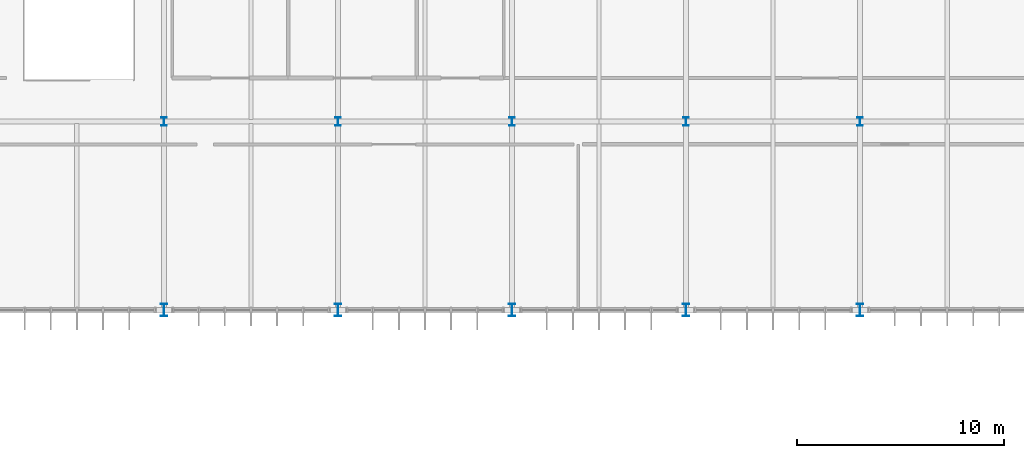
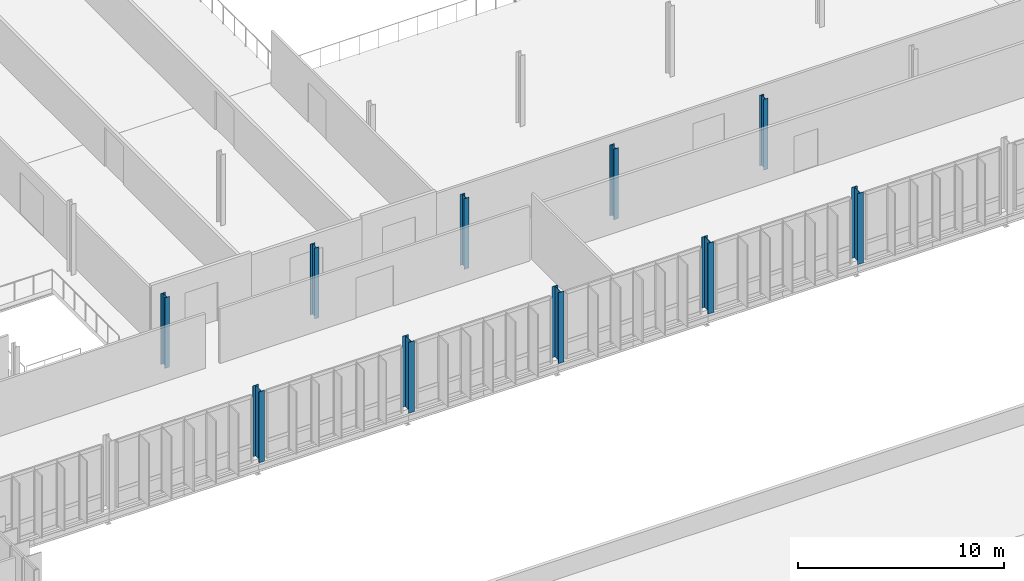
# One storey, part 4 of 107: 10 columns.
"""IFC4 building model written with IfcOpenShell, lengths in metres."""

from ifc_helpers import new_model, si_unit, derived_unit, direction, frame, origin, origin_2d, place, context, subcontext, project, spatial, i_section, extrude, material, material_profile, profile_set, type_object, element, save


model = new_model("IFC4")

# Units and contexts
model_context = context("Model", 3, precision=1e-05, world=origin(), true_north=direction((0.0, 1.0)))
body_context = subcontext(model_context, "Body", "Model", "MODEL_VIEW")
ifc_project = project(units=[si_unit("LENGTHUNIT", "METRE"), si_unit("AREAUNIT", "SQUARE_METRE"), si_unit("VOLUMEUNIT", "CUBIC_METRE"), si_unit("PLANEANGLEUNIT", "RADIAN"), si_unit("MASSUNIT", "GRAM", prefix="KILO"), derived_unit("THERMALTRANSMITTANCEUNIT", [(si_unit("MASSUNIT", "GRAM", prefix="KILO"), 1), (si_unit("TIMEUNIT", "SECOND"), -3), (si_unit("THERMODYNAMICTEMPERATUREUNIT", "KELVIN"), -1)])], contexts=[model_context])

# Site, building, storey
site_placement = place(None, origin())
site = spatial("IfcSite", under=ifc_project, at=site_placement, CompositionType="ELEMENT")
building_placement = place(site_placement, origin())
building = spatial("IfcBuilding", under=site, at=building_placement, Name="Makaiwela Harbour Ferry Terminal", CompositionType="ELEMENT")
storey_placement = place(building_placement, frame((0.0, 0.0, 9.60009765625)))
storey = spatial("IfcBuildingStorey", under=building, at=storey_placement, Name="L02", CompositionType="ELEMENT", Elevation=9.60009765625)

# Columns
ifc_material = material(Name="Steel ASTM A992 Grade 50", Category="steel")
ifc_material_profile_1 = material_profile(ifc_material, i_section(OverallWidth=0.260986328125, OverallDepth=0.4189453125, WebThickness=0.01171875, FlangeThickness=0.019287109375, at=origin_2d()), Name="W16X77")
ifc_profile_set_1 = profile_set([ifc_material_profile_1], Name="Steel ASTM A992 Grade 50")
column_type_1 = type_object("IfcColumnType", Name="STR-COL-W16X77", PredefinedType="COLUMN", material=ifc_profile_set_1)
for number, where, z_axis, x_axis, name in (
    (1, (88.199951171875, 58.5, 0.0), (0.0, 0.0, 1.0), (1.0, 0.0, 0.0), "Structural Column C-04"),
    (2, (96.60009765625, 58.5, 0.0), (0.0, 0.0, 1.0), (1.0, 0.0, 0.0), "Structural Column C-04"),
    (3, (105.0, 58.5, 0.0), (0.0, 0.0, 1.0), (1.0, 0.0, 0.0), "Structural Column C-04"),
    (4, (113.39990234375, 58.5, 0.0), (0.0, 0.0, 1.0), (1.0, 0.0, 0.0), "Structural Column C-04"),
    (5, (121.800048828125, 58.5, 0.0), (0.0, 0.0, 1.0), (1.0, 0.0, 0.0), "Structural Column C-04"),
):
    element("IfcColumn", number, at=place(storey_placement, frame(where, z_axis=z_axis, x_axis=x_axis)), inside=storey, type_object=column_type_1, Name=name, PredefinedType="COLUMN", context=body_context, shape_type="SweptSolid", body=[
        extrude(i_section(OverallWidth=0.260986328125, OverallDepth=0.4189453125, WebThickness=0.01171875, FlangeThickness=0.019287109375, at=origin_2d()), origin(), (0.0, 0.0, 1.0), 4.199951171875),
    ])
ifc_material_profile_2 = material_profile(ifc_material, i_section(OverallWidth=0.324951171875, OverallDepth=0.615966796875, WebThickness=0.013916015625, FlangeThickness=0.021484375, at=origin_2d()), Name="W24X117")
ifc_profile_set_2 = profile_set([ifc_material_profile_2], Name="Steel ASTM A992 Grade 50")
column_type_2 = type_object("IfcColumnType", Name="STR-COL-W24X117", PredefinedType="COLUMN", material=ifc_profile_set_2)
for number, where, z_axis, x_axis, name in (
    (6, (88.199951171875, 49.39990234375, 0.0), (0.0, 0.0, 1.0), (1.0, 0.0, 0.0), "Structural Column C-02"),
    (7, (96.60009765625, 49.39990234375, 0.0), (0.0, 0.0, 1.0), (1.0, 0.0, 0.0), "Structural Column C-02"),
    (8, (105.0, 49.39990234375, 0.0), (0.0, 0.0, 1.0), (1.0, 0.0, 0.0), "Structural Column C-02"),
    (9, (113.39990234375, 49.39990234375, 0.0), (0.0, 0.0, 1.0), (1.0, 0.0, 0.0), "Structural Column C-02"),
    (10, (121.800048828125, 49.39990234375, 0.0), (0.0, 0.0, 1.0), (1.0, 0.0, 0.0), "Structural Column C-02"),
):
    element("IfcColumn", number, at=place(storey_placement, frame(where, z_axis=z_axis, x_axis=x_axis)), inside=storey, type_object=column_type_2, Name=name, PredefinedType="COLUMN", context=body_context, shape_type="SweptSolid", body=[
        extrude(i_section(OverallWidth=0.324951171875, OverallDepth=0.615966796875, WebThickness=0.013916015625, FlangeThickness=0.021484375, at=origin_2d()), origin(), (0.0, 0.0, 1.0), 4.199951171875),
    ])

save(model, "model.ifc")
